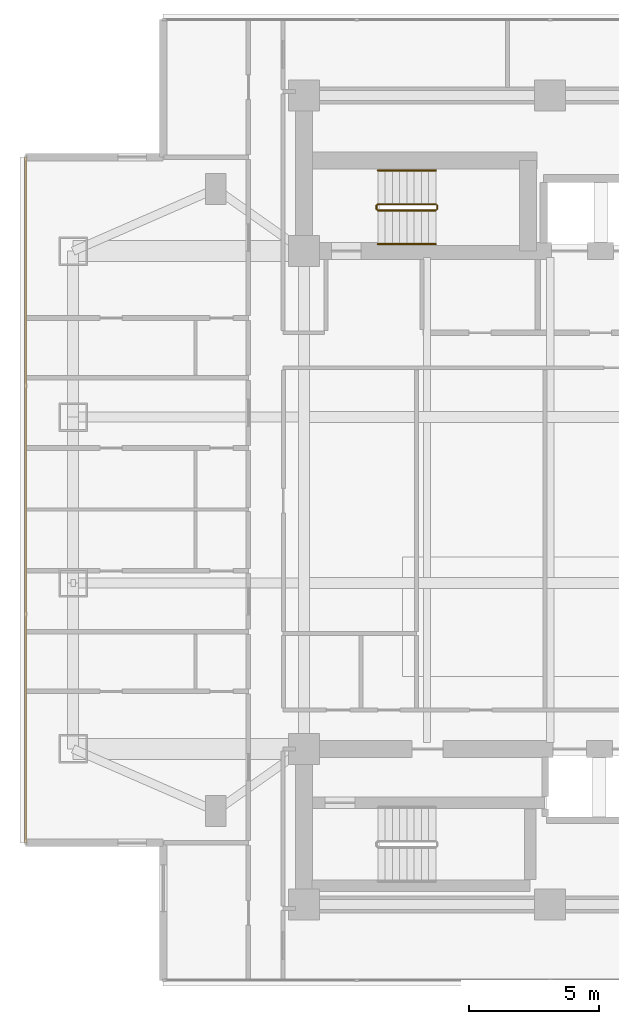
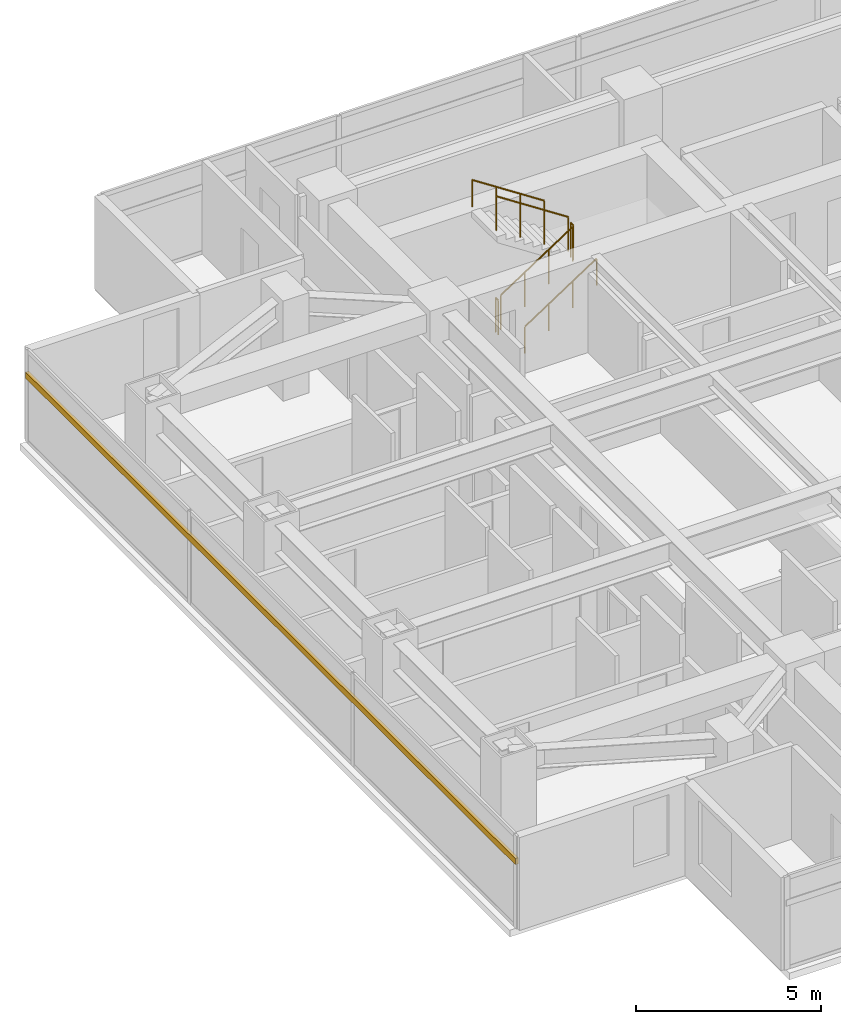
# One storey, part 25 of 29: 6 railings, 1 shading device.
"""IFC4 building model written with IfcOpenShell, lengths in metres."""

from ifc_helpers import new_model, si_unit, direction, frame, origin, origin_2d, place, context, subcontext, project, spatial, rectangle, circle, extrude, material, material_profile, profile_set, type_object, element, save


model = new_model("IFC4")

# Units and contexts
model_context = context("Model", 3, precision=1e-05, world=origin(), true_north=direction((0.0, 1.0)))
body_context = subcontext(model_context, "Body", "Model", "MODEL_VIEW")
ifc_project = project(units=[si_unit("LENGTHUNIT", "METRE"), si_unit("AREAUNIT", "SQUARE_METRE"), si_unit("VOLUMEUNIT", "CUBIC_METRE"), si_unit("PLANEANGLEUNIT", "RADIAN"), si_unit("MASSUNIT", "GRAM", prefix="KILO")], contexts=[model_context])

# Site, building, storey
site_placement = place(None, origin())
site = spatial("IfcSite", under=ifc_project, at=site_placement, CompositionType="ELEMENT")
building_placement = place(site_placement, origin())
building = spatial("IfcBuilding", under=site, at=building_placement, Name="Mirazonda Arch Towers", CompositionType="ELEMENT")
storey_placement = place(building_placement, frame((0.0, 0.0, 88.39990234375)))
storey = spatial("IfcBuildingStorey", under=building, at=storey_placement, Name="L24", CompositionType="ELEMENT", Elevation=88.39990234375)

# Shading device
ifc_material_1 = material(Name="Kiln-Fired Architectural Terracotta", Category="masonry")
ifc_material_profile = material_profile(ifc_material_1, rectangle(XDim=0.10009765625, YDim=0.199951171875, at=origin_2d()), Name="TERRA-BAG-100x200")
ifc_profile_set = profile_set([ifc_material_profile], Name="Kiln-Fired Architectural Terracotta")
shading_device_type = type_object("IfcShadingDeviceType", Name="BAGUETTE-2", PredefinedType="USERDEFINED", material=ifc_profile_set)
shading_device_placement = place(storey_placement, frame((0.27001953125, 41.22509765625, 2.203369140625), z_axis=(0.0, -1.0, 0.0), x_axis=(1.0, 0.0, 0.0)))
element("IfcShadingDevice", 1, at=shading_device_placement, inside=storey, type_object=shading_device_type, Name="L24 Glazed Terracotta Sun-Screen Baguette CW-L24-T1-W", ObjectType="BAGUETTE", PredefinedType="USERDEFINED", context=body_context, shape_type="SweptSolid", body=[
    extrude(rectangle(XDim=0.10009765625, YDim=0.199951171875, at=origin_2d()), origin(), (0.0, 0.0, 1.0), 26.4501953125),
])

# Railings
ifc_material_2 = material(Name="Architectural Brushed Steel S355", Category="steel")
railing_type_1 = type_object("IfcRailingType", Name="GUARD-STAIR-1120", PredefinedType="GUARDRAIL", material=ifc_material_2)
railing_1_placement = place(storey_placement, frame((13.85009765625, 39.169921875, 0.183349609375)))
element("IfcRailing", 2, at=railing_1_placement, inside=storey, type_object=railing_type_1, Name="L24 ST-T1N stair guard 1", PredefinedType="GUARDRAIL", context=body_context, shape_type="SweptSolid", body=[
    extrude(circle(Radius=0.02392578125, at=origin_2d()), frame((0.0, 0.0, 1.1259765625), z_axis=(0.836595146698, 0.0, 0.547821650285), x_axis=(0.0, 1.0, 0.0)), (0.0, 0.0, 1.0), 2.677490234375),
    extrude(circle(Radius=0.02099609375, at=origin_2d()), origin(), (0.0, 0.0, 1.0), 1.101806640625),
    extrude(circle(Radius=0.02099609375, at=origin_2d()), frame((0.74658203125, 0.0, 0.489013671875)), (0.0, 0.0, 1.0), 1.101806640625),
    extrude(circle(Radius=0.02099609375, at=origin_2d()), frame((1.493408203125, 0.0, 0.977783203125)), (0.0, 0.0, 1.0), 1.101806640625),
    extrude(circle(Radius=0.02099609375, at=origin_2d()), frame((2.239990234375, 0.0, 1.466796875)), (0.0, 0.0, 1.0), 1.101806640625),
])
railing_2_placement = place(storey_placement, frame((16.139892578125, 39.219970703125, 1.650146484375)))
element("IfcRailing", 3, at=railing_2_placement, inside=storey, type_object=railing_type_1, Name="L24 ST-T1N stair guard 2", PredefinedType="GUARDRAIL", context=body_context, shape_type="SweptSolid", body=[
    extrude(circle(Radius=0.02392578125, at=origin_2d()), frame((0.0, 0.0, 1.1259765625), z_axis=(0.0, 1.0, 0.0), x_axis=(-1.0, 0.0, 0.0)), (0.0, 0.0, 1.0), 0.14013671875),
    extrude(circle(Radius=0.02099609375, at=origin_2d()), origin(), (0.0, 0.0, 1.0), 1.101806640625),
    extrude(circle(Radius=0.02099609375, at=origin_2d()), frame((0.0, 0.14013671875, 0.0)), (0.0, 0.0, 1.0), 1.101806640625),
])
railing_3_placement = place(storey_placement, frame((16.090087890625, 39.409912109375, 1.83349609375)))
element("IfcRailing", 4, at=railing_3_placement, inside=storey, type_object=railing_type_1, Name="L24 ST-T1N stair guard 3", PredefinedType="GUARDRAIL", context=body_context, shape_type="SweptSolid", body=[
    extrude(circle(Radius=0.02392578125, at=origin_2d()), frame((0.0, 0.0, 1.1259765625), z_axis=(-0.836636935527, 0.0, 0.547757827979), x_axis=(0.0, -1.0, 0.0)), (0.0, 0.0, 1.0), 2.677490234375),
    extrude(circle(Radius=0.02099609375, at=origin_2d()), origin(), (0.0, 0.0, 1.0), 1.101806640625),
    extrude(circle(Radius=0.02099609375, at=origin_2d()), frame((-0.74658203125, 0.0, 0.48876953125)), (0.0, 0.0, 1.0), 1.101806640625),
    extrude(circle(Radius=0.02099609375, at=origin_2d()), frame((-1.493408203125, 0.0, 0.977783203125)), (0.0, 0.0, 1.0), 1.101806640625),
    extrude(circle(Radius=0.02099609375, at=origin_2d()), frame((-2.239990234375, 0.0, 1.466552734375)), (0.0, 0.0, 1.0), 1.101806640625),
])
railing_4_placement = place(storey_placement, frame((13.800048828125, 39.219970703125, 0.0)))
element("IfcRailing", 5, at=railing_4_placement, inside=storey, type_object=railing_type_1, Name="L24 ST-T1N stair guard 4", PredefinedType="GUARDRAIL", context=body_context, shape_type="SweptSolid", body=[
    extrude(circle(Radius=0.02392578125, at=origin_2d()), frame((0.0, 0.0, 1.1259765625), z_axis=(0.0, 1.0, 0.0), x_axis=(-1.0, 0.0, 0.0)), (0.0, 0.0, 1.0), 0.14013671875),
    extrude(circle(Radius=0.02099609375, at=origin_2d()), origin(), (0.0, 0.0, 1.0), 1.101806640625),
    extrude(circle(Radius=0.02099609375, at=origin_2d()), frame((0.0, 0.14013671875, 0.0)), (0.0, 0.0, 1.0), 1.101806640625),
])
railing_type_2 = type_object("IfcRailingType", Name="HANDRAIL-915", PredefinedType="HANDRAIL", material=ifc_material_2)
railing_5_placement = place(storey_placement, frame((13.85009765625, 37.8701171875, 0.183349609375)))
element("IfcRailing", 6, at=railing_5_placement, inside=storey, type_object=railing_type_2, Name="L24 ST-T1N stair handrail 1", PredefinedType="HANDRAIL", context=body_context, shape_type="SweptSolid", body=[
    extrude(circle(Radius=0.02392578125, at=origin_2d()), frame((0.0, 0.0, 0.8759765625), z_axis=(0.836595146698, 0.0, 0.547821650285), x_axis=(0.0, 1.0, 0.0)), (0.0, 0.0, 1.0), 2.677490234375),
    extrude(circle(Radius=0.02099609375, at=origin_2d()), origin(), (0.0, 0.0, 1.0), 0.851806640625),
    extrude(circle(Radius=0.02099609375, at=origin_2d()), frame((0.74658203125, 0.0, 0.489013671875)), (0.0, 0.0, 1.0), 0.851806640625),
    extrude(circle(Radius=0.02099609375, at=origin_2d()), frame((1.493408203125, 0.0, 0.977783203125)), (0.0, 0.0, 1.0), 0.851806640625),
    extrude(circle(Radius=0.02099609375, at=origin_2d()), frame((2.239990234375, 0.0, 1.466796875)), (0.0, 0.0, 1.0), 0.851806640625),
])
railing_6_placement = place(storey_placement, frame((16.090087890625, 40.7099609375, 1.83349609375)))
element("IfcRailing", 7, at=railing_6_placement, inside=storey, type_object=railing_type_2, Name="L24 ST-T1N stair handrail 2", PredefinedType="HANDRAIL", context=body_context, shape_type="SweptSolid", body=[
    extrude(circle(Radius=0.02392578125, at=origin_2d()), frame((0.0, 0.0, 0.8759765625), z_axis=(-0.836636935527, 0.0, 0.547757827979), x_axis=(0.0, -1.0, 0.0)), (0.0, 0.0, 1.0), 2.677490234375),
    extrude(circle(Radius=0.02099609375, at=origin_2d()), origin(), (0.0, 0.0, 1.0), 0.851806640625),
    extrude(circle(Radius=0.02099609375, at=origin_2d()), frame((-0.74658203125, 0.0, 0.48876953125)), (0.0, 0.0, 1.0), 0.851806640625),
    extrude(circle(Radius=0.02099609375, at=origin_2d()), frame((-1.493408203125, 0.0, 0.977783203125)), (0.0, 0.0, 1.0), 0.851806640625),
    extrude(circle(Radius=0.02099609375, at=origin_2d()), frame((-2.239990234375, 0.0, 1.466552734375)), (0.0, 0.0, 1.0), 0.851806640625),
])

save(model, "model.ifc")
